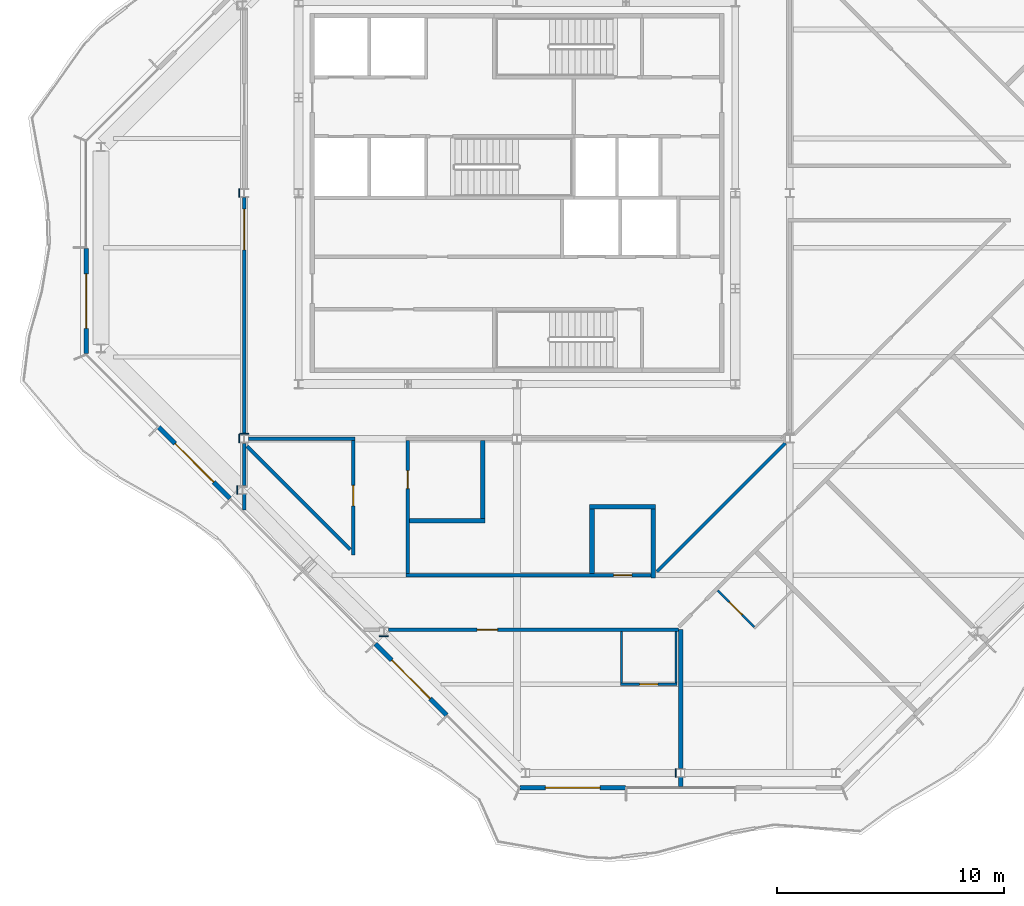
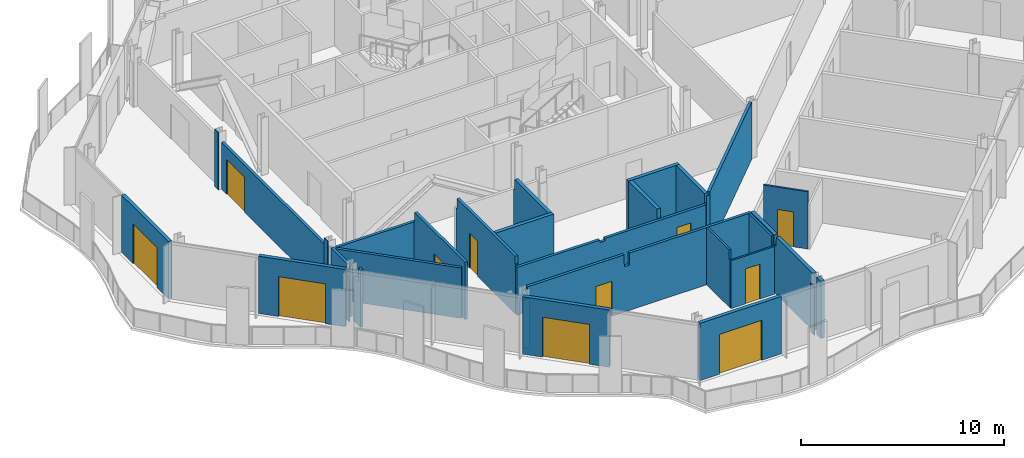
# One storey, part 7 of 17: 31 walls, 11 doors, 11 openings.
"""IFC4 building model written with IfcOpenShell, lengths in metres."""

from ifc_helpers import new_model, si_unit, direction, frame, frame_2d, origin, place, context, subcontext, project, spatial, polyline, rectangle, outline, extrude, material, layer, layer_set, type_object, element, fill, save


model = new_model("IFC4")

# Units and contexts
model_context = context("Model", 3, precision=1e-05, world=origin(), true_north=direction((0.0, 1.0)))
body_context = subcontext(model_context, "Body", "Model", "MODEL_VIEW")
ifc_project = project(units=[si_unit("LENGTHUNIT", "METRE"), si_unit("AREAUNIT", "SQUARE_METRE"), si_unit("VOLUMEUNIT", "CUBIC_METRE"), si_unit("PLANEANGLEUNIT", "RADIAN"), si_unit("MASSUNIT", "GRAM", prefix="KILO")], contexts=[model_context])

# Site, building, storey
site_placement = place(None, origin())
site = spatial("IfcSite", under=ifc_project, at=site_placement, CompositionType="ELEMENT")
building_placement = place(site_placement, origin())
building = spatial("IfcBuilding", under=site, at=building_placement, Name="Cairn Pilgrim Tower", CompositionType="ELEMENT")
storey_placement = place(building_placement, frame((0.0, 0.0, 281.39990234375)))
storey = spatial("IfcBuildingStorey", under=building, at=storey_placement, Name="L72", CompositionType="ELEMENT", Elevation=281.39990234375)

# Wall, opening, door
ifc_material_1 = material(Name="Bronze anodised aluminium insulated sandwich panel with mineral wool fill", Category="aluminium")
ifc_layer_1 = layer(ifc_material_1, 0.199951171875)
ifc_layer_set_1 = layer_set([ifc_layer_1], Name="BRONZE INFILL FRAME WALL 200")
wall_type_1 = type_object("IfcWallType", Name="BRONZE INFILL FRAME WALL 200", PredefinedType="NOTDEFINED", material=ifc_layer_set_1)
wall_1_placement = place(storey_placement, frame((7.343505859375, -23.75, 0.0), z_axis=(0.0, 0.0, 1.0), x_axis=(1.0, 0.0, 0.0)))
wall_1 = element("IfcWall", 1, at=wall_1_placement, inside=storey, type_object=wall_type_1, Name="Bronze infill frame wall IW-S1", PredefinedType="NOTDEFINED", context=body_context, shape_type="SweptSolid", body=[
    extrude(rectangle(XDim=4.62646484375, YDim=0.199951171875, at=frame_2d((2.313232421875, 0.0))), origin(), (0.0, 0.0, 1.0), 3.4501953125),
])
opening_1_placement = place(wall_1_placement, frame((1.1083984375, 0.0, 0.0)))
opening_1 = element("IfcOpeningElement", 2, at=opening_1_placement, cuts=wall_1, Name="Opening 7211B2", PredefinedType="OPENING", context=body_context, shape_type="SweptSolid", body=[
    extrude(rectangle(XDim=2.39990234375, YDim=2.39990234375, at=frame_2d((1.199951171875, 1.199951171875))), frame((0.0, 0.10986328125, 0.0), z_axis=(0.0, -1.0, 0.0), x_axis=(1.0, 0.0, 0.0)), (0.0, 0.0, 1.0), 0.219970703125),
])
ifc_material_2 = material(Name="Bronze anodised aluminium frame with tinted low-E glass", Category="aluminium")
door_type_1 = type_object("IfcDoorType", Name="BALCONY SLIDING DOOR 2400x2400", OperationType="DOUBLE_DOOR_SLIDING", PredefinedType="DOOR", material=ifc_material_2)
door_1_placement = place(opening_1_placement, origin())
door_1 = element("IfcDoor", 3, at=door_1_placement, inside=storey, type_object=door_type_1, Name="Balcony sliding door 7211B2", OperationType="SINGLE_SWING_LEFT", OverallHeight=2.39990234375, OverallWidth=2.39990234375, PredefinedType="DOOR", context=body_context, shape_type="SweptSolid", body=[
    extrude(rectangle(XDim=2.39990234375, YDim=2.39990234375, at=frame_2d((1.199951171875, 1.199951171875))), frame((0.0, 0.02490234375, 0.0), z_axis=(0.0, -1.0, 0.0), x_axis=(1.0, 0.0, 0.0)), (0.0, 0.0, 1.0), 0.050048828125),
])
fill(opening_1, door_1)

wall_2_placement = place(storey_placement, frame((-11.75, -0.030029296875, 0.0), z_axis=(0.0, 0.0, 1.0), x_axis=(0.0, -1.0, 0.0)))
wall_2 = element("IfcWall", 4, at=wall_2_placement, inside=storey, type_object=wall_type_1, Name="Bronze infill frame wall IW-W2", PredefinedType="NOTDEFINED", context=body_context, shape_type="SweptSolid", body=[
    extrude(rectangle(XDim=4.62646484375, YDim=0.199951171875, at=frame_2d((2.313232421875, 0.0))), origin(), (0.0, 0.0, 1.0), 3.4501953125),
])
opening_2_placement = place(wall_2_placement, frame((1.117919921875, 0.0, 0.0)))
opening_2 = element("IfcOpeningElement", 5, at=opening_2_placement, cuts=wall_2, Name="Opening 7201B3", PredefinedType="OPENING", context=body_context, shape_type="SweptSolid", body=[
    extrude(rectangle(XDim=2.39990234375, YDim=2.39990234375, at=frame_2d((1.199951171875, 1.199951171875))), frame((0.0, 0.10986328125, 0.0), z_axis=(0.0, -1.0, 0.0), x_axis=(1.0, 0.0, 0.0)), (0.0, 0.0, 1.0), 0.219970703125),
])
door_2_placement = place(opening_2_placement, origin())
door_2 = element("IfcDoor", 6, at=door_2_placement, inside=storey, type_object=door_type_1, Name="Balcony sliding door 7201B3", OperationType="SINGLE_SWING_LEFT", OverallHeight=2.39990234375, OverallWidth=2.39990234375, PredefinedType="DOOR", context=body_context, shape_type="SweptSolid", body=[
    extrude(rectangle(XDim=2.39990234375, YDim=2.39990234375, at=frame_2d((1.199951171875, 1.199951171875))), frame((0.0, 0.02490234375, 0.0), z_axis=(0.0, -1.0, 0.0), x_axis=(1.0, 0.0, 0.0)), (0.0, 0.0, 1.0), 0.050048828125),
])
fill(opening_2, door_2)

wall_3_placement = place(storey_placement, frame((-8.55322265625, -7.893310546875, 0.0), z_axis=(0.0, 0.0, 1.0), x_axis=(0.707134329907, -0.707079231393, 0.0)))
wall_3 = element("IfcWall", 7, at=wall_3_placement, inside=storey, type_object=wall_type_1, Name="Bronze infill frame wall IW-SW2", PredefinedType="NOTDEFINED", context=body_context, shape_type="SweptSolid", body=[
    extrude(rectangle(XDim=4.430908203125, YDim=0.199951171875, at=frame_2d((2.21533203125, 0.0))), origin(), (0.0, 0.0, 1.0), 3.4501953125),
])
opening_3_placement = place(wall_3_placement, frame((1.015380859375, 0.0, 0.0)))
opening_3 = element("IfcOpeningElement", 8, at=opening_3_placement, cuts=wall_3, Name="Opening 7201B2", PredefinedType="OPENING", context=body_context, shape_type="SweptSolid", body=[
    extrude(rectangle(XDim=2.39990234375, YDim=2.39990234375, at=frame_2d((1.199951171875, 1.199951171875))), frame((0.0, 0.10986328125, 0.0), z_axis=(0.0, -1.0, 0.0), x_axis=(1.0, 0.0, 0.0)), (0.0, 0.0, 1.0), 0.219970703125),
])
door_3_placement = place(opening_3_placement, origin())
door_3 = element("IfcDoor", 9, at=door_3_placement, inside=storey, type_object=door_type_1, Name="Balcony sliding door 7201B2", OperationType="SINGLE_SWING_LEFT", OverallHeight=2.39990234375, OverallWidth=2.39990234375, PredefinedType="DOOR", context=body_context, shape_type="SweptSolid", body=[
    extrude(rectangle(XDim=2.39990234375, YDim=2.39990234375, at=frame_2d((1.199951171875, 1.199951171875))), frame((0.0, 0.02490234375, 0.0), z_axis=(0.0, -1.0, 0.0), x_axis=(1.0, 0.0, 0.0)), (0.0, 0.0, 1.0), 0.050048828125),
])
fill(opening_3, door_3)

wall_4_placement = place(storey_placement, frame((0.9736328125, -17.419921875, 0.0), z_axis=(0.0, 0.0, 1.0), x_axis=(0.707079231393, -0.707134329907, 0.0)))
wall_4 = element("IfcWall", 10, at=wall_4_placement, inside=storey, type_object=wall_type_1, Name="Bronze infill frame wall IW-SW5", PredefinedType="NOTDEFINED", context=body_context, shape_type="SweptSolid", body=[
    extrude(rectangle(XDim=4.430908203125, YDim=0.199951171875, at=frame_2d((2.21533203125, 0.0))), origin(), (0.0, 0.0, 1.0), 3.4501953125),
])
opening_4_placement = place(wall_4_placement, frame((1.01513671875, 0.0, 0.0)))
opening_4 = element("IfcOpeningElement", 11, at=opening_4_placement, cuts=wall_4, Name="Opening 7211B", PredefinedType="OPENING", context=body_context, shape_type="SweptSolid", body=[
    extrude(rectangle(XDim=2.39990234375, YDim=2.39990234375, at=frame_2d((1.199951171875, 1.199951171875))), frame((0.0, 0.10986328125, 0.0), z_axis=(0.0, -1.0, 0.0), x_axis=(1.0, 0.0, 0.0)), (0.0, 0.0, 1.0), 0.219970703125),
])
door_4_placement = place(opening_4_placement, origin())
door_4 = element("IfcDoor", 12, at=door_4_placement, inside=storey, type_object=door_type_1, Name="Balcony sliding door 7211B", OperationType="SINGLE_SWING_LEFT", OverallHeight=2.39990234375, OverallWidth=2.39990234375, PredefinedType="DOOR", context=body_context, shape_type="SweptSolid", body=[
    extrude(rectangle(XDim=2.39990234375, YDim=2.39990234375, at=frame_2d((1.199951171875, 1.199951171875))), frame((0.0, 0.02490234375, 0.0), z_axis=(0.0, -1.0, 0.0), x_axis=(1.0, 0.0, 0.0)), (0.0, 0.0, 1.0), 0.050048828125),
])
fill(opening_4, door_4)

ifc_material_3 = material(Name="Gypsum partition")
ifc_layer_2 = layer(ifc_material_3, 0.10009765625)
ifc_layer_set_2 = layer_set([ifc_layer_2], Name="PARTITION 100 DRYWALL")
wall_type_2 = type_object("IfcWallType", Name="PARTITION 100 DRYWALL", PredefinedType="PARTITIONING", material=ifc_layer_set_2)
wall_5_placement = place(storey_placement, frame((11.743896484375, -19.199951171875, 0.0), z_axis=(0.0, 0.0, 1.0), x_axis=(1.0, 0.0, 0.0)))
wall_5 = element("IfcWall", 13, at=wall_5_placement, inside=storey, type_object=wall_type_2, Name="PARTITION W004", PredefinedType="PARTITIONING", context=body_context, shape_type="SweptSolid", body=[
    extrude(rectangle(XDim=2.5, YDim=0.10009765625, at=frame_2d((1.25, 0.0))), origin(), (0.0, 0.0, 1.0), 2.880126953125),
])
opening_5_placement = place(wall_5_placement, frame((0.85009765625, 0.0, 0.0)))
opening_5 = element("IfcOpeningElement", 14, at=opening_5_placement, cuts=wall_5, Name="Opening 7211A", PredefinedType="OPENING", context=body_context, shape_type="SweptSolid", body=[
    extrude(rectangle(XDim=0.800048828125, YDim=2.10009765625, at=frame_2d((0.39990234375, 1.050048828125))), frame((0.0, 0.06005859375, 0.0), z_axis=(0.0, -1.0, 0.0), x_axis=(1.0, 0.0, 0.0)), (0.0, 0.0, 1.0), 0.1201171875),
])
ifc_material_4 = material(Name="Timber door leaf", Category="wood")
door_type_2 = type_object("IfcDoorType", Name="WC DOOR 800x2100", OperationType="NOTDEFINED", PredefinedType="DOOR", material=ifc_material_4)
door_5_placement = place(opening_5_placement, frame((0.800048828125, 0.0, 0.0), z_axis=(0.0, 0.0, 1.0), x_axis=(-1.0, 0.0, 0.0)))
door_5 = element("IfcDoor", 15, at=door_5_placement, inside=storey, type_object=door_type_2, Name="DOOR 7211A", OperationType="SINGLE_SWING_RIGHT", OverallHeight=2.10009765625, OverallWidth=0.800048828125, PredefinedType="DOOR", context=body_context, shape_type="SweptSolid", body=[
    extrude(rectangle(XDim=0.800048828125, YDim=2.10009765625, at=frame_2d((0.39990234375, 1.050048828125))), frame((0.0, 0.02490234375, 0.0), z_axis=(0.0, -1.0, 0.0), x_axis=(1.0, 0.0, 0.0)), (0.0, 0.0, 1.0), 0.050048828125),
])
fill(opening_5, door_5)

# Walls
for number, where, z_axis, x_axis, name in (
    (16, (11.7939453125, -19.14990234375, 0.0), (0.0, 0.0, 1.0), (0.0, 1.0, 0.0), "PARTITION W005"),
    (17, (14.194091796875, -19.14990234375, 0.0), (0.0, 0.0, 1.0), (0.0, 1.0, 0.0), "PARTITION W006"),
):
    element("IfcWall", number, at=place(storey_placement, frame(where, z_axis=z_axis, x_axis=x_axis)), inside=storey, type_object=wall_type_2, Name=name, PredefinedType="PARTITIONING", context=body_context, shape_type="SweptSolid", body=[
        extrude(outline(polyline([(0.0, 0.0), (2.27490234375, 0.0), (2.27490234375, 3.4501953125), (0.054931640625, 3.4501953125), (0.052978515625, 2.880126953125), (0.0, 2.880126953125), (0.0, 0.0)])), frame((0.0, 0.050048828125, 0.0), z_axis=(0.0, -1.0, 0.0), x_axis=(1.0, 0.0, 0.0)), (0.0, 0.0, 1.0), 0.10009765625),
    ])

# Wall, opening, door
wall_6_placement = place(storey_placement, frame((17.6376953125, -16.6796875, 0.0), z_axis=(0.0, 0.0, 1.0), x_axis=(-0.707106781187, 0.707106781187, 0.0)))
wall_6 = element("IfcWall", 18, at=wall_6_placement, inside=storey, type_object=wall_type_2, Name="PARTITION W012", PredefinedType="PARTITIONING", context=body_context, shape_type="SweptSolid", body=[
    extrude(rectangle(XDim=2.27490234375, YDim=0.10009765625, at=frame_2d((1.137451171875, 0.0))), origin(), (0.0, 0.0, 1.0), 3.4501953125),
])
opening_6_placement = place(wall_6_placement, frame((0.75, 0.0, 0.0)))
opening_6 = element("IfcOpeningElement", 19, at=opening_6_placement, cuts=wall_6, Name="Opening 7202A", PredefinedType="OPENING", context=body_context, shape_type="SweptSolid", body=[
    extrude(rectangle(XDim=0.800048828125, YDim=2.10009765625, at=frame_2d((0.39990234375, 1.050048828125))), frame((0.0, 0.06005859375, 0.0), z_axis=(0.0, -1.0, 0.0), x_axis=(1.0, 0.0, 0.0)), (0.0, 0.0, 1.0), 0.1201171875),
])
door_6_placement = place(opening_6_placement, origin())
door_6 = element("IfcDoor", 20, at=door_6_placement, inside=storey, type_object=door_type_2, Name="DOOR 7202A", OperationType="SINGLE_SWING_LEFT", OverallHeight=2.10009765625, OverallWidth=0.800048828125, PredefinedType="DOOR", context=body_context, shape_type="SweptSolid", body=[
    extrude(rectangle(XDim=0.800048828125, YDim=2.10009765625, at=frame_2d((0.39990234375, 1.050048828125))), frame((0.0, 0.02490234375, 0.0), z_axis=(0.0, -1.0, 0.0), x_axis=(1.0, 0.0, 0.0)), (0.0, 0.0, 1.0), 0.050048828125),
])
fill(opening_6, door_6)

ifc_layer_3 = layer(ifc_material_3, 0.14990234375)
ifc_layer_set_3 = layer_set([ifc_layer_3], Name="PARTITION 150 DRYWALL EI 60")
wall_type_3 = type_object("IfcWallType", Name="PARTITION 150 DRYWALL EI 60", PredefinedType="PARTITIONING", material=ifc_layer_set_3)
wall_7_placement = place(storey_placement, frame((1.5439453125, -16.800048828125, 0.0), z_axis=(0.0, 0.0, 1.0), x_axis=(1.0, 0.0, 0.0)))
wall_7 = element("IfcWall", 21, at=wall_7_placement, inside=storey, type_object=wall_type_3, Name="PARTITION W009", PredefinedType="PARTITIONING", context=body_context, shape_type="SweptSolid", body=[
    extrude(outline(polyline([(0.0, 0.0), (12.756103515625, 0.0), (12.756103515625, 3.4501953125), (5.805908203125, 3.4501953125), (5.803955078125, 2.72998046875), (5.506103515625, 2.72998046875), (5.50390625, 3.4501953125), (0.0, 3.4501953125), (0.0, 0.0)])), frame((0.0, 0.074951171875, 0.0), z_axis=(0.0, -1.0, 0.0), x_axis=(1.0, 0.0, 0.0)), (0.0, 0.0, 1.0), 0.14990234375),
])
opening_7_placement = place(wall_7_placement, frame((3.903076171875, 0.0, 0.0)))
opening_7 = element("IfcOpeningElement", 22, at=opening_7_placement, cuts=wall_7, Name="Opening 7211", PredefinedType="OPENING", context=body_context, shape_type="SweptSolid", body=[
    extrude(rectangle(XDim=0.89990234375, YDim=2.10009765625, at=frame_2d((0.449951171875, 1.050048828125))), frame((0.0, 0.0849609375, 0.0), z_axis=(0.0, -1.0, 0.0), x_axis=(1.0, 0.0, 0.0)), (0.0, 0.0, 1.0), 0.169921875),
])
door_type_3 = type_object("IfcDoorType", Name="ROOM DOOR 900x2100 FD30S", OperationType="NOTDEFINED", PredefinedType="DOOR", material=ifc_material_4)
door_7_placement = place(opening_7_placement, frame((0.89990234375, 0.0, 0.0), z_axis=(0.0, 0.0, 1.0), x_axis=(-1.0, 0.0, 0.0)))
door_7 = element("IfcDoor", 23, at=door_7_placement, inside=storey, type_object=door_type_3, Name="DOOR 7211", OperationType="SINGLE_SWING_RIGHT", OverallHeight=2.10009765625, OverallWidth=0.89990234375, PredefinedType="DOOR", context=body_context, shape_type="SweptSolid", body=[
    extrude(rectangle(XDim=0.89990234375, YDim=2.10009765625, at=frame_2d((0.449951171875, 1.050048828125))), frame((0.0, 0.02490234375, 0.0), z_axis=(0.0, -1.0, 0.0), x_axis=(1.0, 0.0, 0.0)), (0.0, 0.0, 1.0), 0.050048828125),
])
fill(opening_7, door_7)

wall_8_placement = place(storey_placement, frame((2.324951171875, -14.39990234375, 0.0), z_axis=(0.0, 0.0, 1.0), x_axis=(1.0, 0.0, 0.0)))
wall_8 = element("IfcWall", 24, at=wall_8_placement, inside=storey, type_object=wall_type_3, Name="PARTITION W015", PredefinedType="PARTITIONING", context=body_context, shape_type="SweptSolid", body=[
    extrude(outline(polyline([(0.0, 0.0), (10.775146484375, 0.0), (10.77490234375, 2.880126953125), (5.02490234375, 2.880126953125), (5.02294921875, 2.72998046875), (4.72509765625, 2.72998046875), (4.722900390625, 2.880126953125), (0.0, 2.880126953125), (0.0, 0.0)])), frame((0.0, 0.074951171875, 0.0), z_axis=(0.0, -1.0, 0.0), x_axis=(1.0, 0.0, 0.0)), (0.0, 0.0, 1.0), 0.14990234375),
])
opening_8_placement = place(wall_8_placement, frame((9.125, 0.0, 0.0)))
opening_8 = element("IfcOpeningElement", 25, at=opening_8_placement, cuts=wall_8, Name="Opening 7214", PredefinedType="OPENING", context=body_context, shape_type="SweptSolid", body=[
    extrude(rectangle(XDim=0.800048828125, YDim=2.10009765625, at=frame_2d((0.39990234375, 1.050048828125))), frame((0.0, 0.0849609375, 0.0), z_axis=(0.0, -1.0, 0.0), x_axis=(1.0, 0.0, 0.0)), (0.0, 0.0, 1.0), 0.169921875),
])
door_type_4 = type_object("IfcDoorType", Name="WC DOOR 800x2100 FD30S", OperationType="NOTDEFINED", PredefinedType="DOOR", material=ifc_material_4)
door_8_placement = place(opening_8_placement, origin())
door_8 = element("IfcDoor", 26, at=door_8_placement, inside=storey, type_object=door_type_4, Name="DOOR 7214", OperationType="SINGLE_SWING_RIGHT", OverallHeight=2.10009765625, OverallWidth=0.800048828125, PredefinedType="DOOR", context=body_context, shape_type="SweptSolid", body=[
    extrude(rectangle(XDim=0.800048828125, YDim=2.10009765625, at=frame_2d((0.39990234375, 1.050048828125))), frame((0.0, 0.02490234375, 0.0), z_axis=(0.0, -1.0, 0.0), x_axis=(1.0, 0.0, 0.0)), (0.0, 0.0, 1.0), 0.050048828125),
])
fill(opening_8, door_8)

wall_9_placement = place(storey_placement, frame((2.39990234375, -14.324951171875, 0.0), z_axis=(0.0, 0.0, 1.0), x_axis=(0.0, 1.0, 0.0)))
wall_9 = element("IfcWall", 27, at=wall_9_placement, inside=storey, type_object=wall_type_3, Name="PARTITION W016", PredefinedType="PARTITIONING", context=body_context, shape_type="SweptSolid", body=[
    extrude(outline(polyline([(0.0, 0.0), (5.849853515625, 0.0), (5.85009765625, 2.830078125), (5.77490234375, 2.830078125), (5.77294921875, 3.4501953125), (0.02001953125, 3.4501953125), (0.01806640625, 2.97998046875), (0.0, 2.97998046875), (0.0, 0.0)])), frame((0.0, 0.074951171875, 0.0), z_axis=(0.0, -1.0, 0.0), x_axis=(1.0, 0.0, 0.0)), (0.0, 0.0, 1.0), 0.14990234375),
])
opening_9_placement = place(wall_9_placement, frame((3.72509765625, 0.0, 0.0)))
opening_9 = element("IfcOpeningElement", 28, at=opening_9_placement, cuts=wall_9, Name="Opening 7213", PredefinedType="OPENING", context=body_context, shape_type="SweptSolid", body=[
    extrude(rectangle(XDim=0.800048828125, YDim=2.10009765625, at=frame_2d((0.39990234375, 1.050048828125))), frame((0.0, 0.0849609375, 0.0), z_axis=(0.0, -1.0, 0.0), x_axis=(1.0, 0.0, 0.0)), (0.0, 0.0, 1.0), 0.169921875),
])
door_9_placement = place(opening_9_placement, frame((0.800048828125, 0.0, 0.0), z_axis=(0.0, 0.0, 1.0), x_axis=(-1.0, 0.0, 0.0)))
door_9 = element("IfcDoor", 29, at=door_9_placement, inside=storey, type_object=door_type_4, Name="DOOR 7213", OperationType="SINGLE_SWING_RIGHT", OverallHeight=2.10009765625, OverallWidth=0.800048828125, PredefinedType="DOOR", context=body_context, shape_type="SweptSolid", body=[
    extrude(rectangle(XDim=0.800048828125, YDim=2.10009765625, at=frame_2d((0.39990234375, 1.050048828125))), frame((0.0, 0.02490234375, 0.0), z_axis=(0.0, -1.0, 0.0), x_axis=(1.0, 0.0, 0.0)), (0.0, 0.0, 1.0), 0.050048828125),
])
fill(opening_9, door_9)

# Wall
wall_10_placement = place(storey_placement, frame((13.35302734375, -14.2470703125, 0.0), z_axis=(0.0, 0.0, 1.0), x_axis=(0.707106781187, 0.707106781187, 0.0)))
element("IfcWall", 30, at=wall_10_placement, inside=storey, type_object=wall_type_3, Name="PARTITION W018", PredefinedType="PARTITIONING", context=body_context, shape_type="SweptSolid", body=[
    extrude(rectangle(XDim=7.9970703125, YDim=0.14990234375, at=frame_2d((3.99853515625, 0.0))), origin(), (0.0, 0.0, 1.0), 3.4501953125),
])

# Wall, opening, door
wall_11_placement = place(storey_placement, frame((0.0, -13.51220703125, 0.0), z_axis=(0.0, 0.0, 1.0), x_axis=(0.0, 1.0, 0.0)))
wall_11 = element("IfcWall", 31, at=wall_11_placement, inside=storey, type_object=wall_type_3, Name="PARTITION W020", PredefinedType="PARTITIONING", context=body_context, shape_type="SweptSolid", body=[
    extrude(outline(polyline([(0.0, 0.0), (5.037109375, 0.0), (5.037109375, 2.830078125), (4.962158203125, 2.830078125), (4.960205078125, 3.4501953125), (0.0, 3.4501953125), (0.0, 0.0)])), frame((0.0, 0.074951171875, 0.0), z_axis=(0.0, -1.0, 0.0), x_axis=(1.0, 0.0, 0.0)), (0.0, 0.0, 1.0), 0.14990234375),
])
opening_10_placement = place(wall_11_placement, frame((2.1591796875, 0.0, 0.0)))
opening_10 = element("IfcOpeningElement", 32, at=opening_10_placement, cuts=wall_11, Name="Opening 7217", PredefinedType="OPENING", context=body_context, shape_type="SweptSolid", body=[
    extrude(rectangle(XDim=0.89990234375, YDim=2.10009765625, at=frame_2d((0.449951171875, 1.050048828125))), frame((0.0, 0.0849609375, 0.0), z_axis=(0.0, -1.0, 0.0), x_axis=(1.0, 0.0, 0.0)), (0.0, 0.0, 1.0), 0.169921875),
])
door_type_5 = type_object("IfcDoorType", Name="SERVICE DOOR 900x2100 FD30S", OperationType="NOTDEFINED", PredefinedType="DOOR", material=ifc_material_4)
door_10_placement = place(opening_10_placement, origin())
door_10 = element("IfcDoor", 33, at=door_10_placement, inside=storey, type_object=door_type_5, Name="DOOR 7217", OperationType="SINGLE_SWING_RIGHT", OverallHeight=2.10009765625, OverallWidth=0.89990234375, PredefinedType="DOOR", context=body_context, shape_type="SweptSolid", body=[
    extrude(rectangle(XDim=0.89990234375, YDim=2.10009765625, at=frame_2d((0.449951171875, 1.050048828125))), frame((0.0, 0.02490234375, 0.0), z_axis=(0.0, -1.0, 0.0), x_axis=(1.0, 0.0, 0.0)), (0.0, 0.0, 1.0), 0.050048828125),
])
fill(opening_10, door_10)

# Walls
wall_12_placement = place(storey_placement, frame((-0.1279296875, -13.278076171875, 0.0), z_axis=(0.0, 0.0, 1.0), x_axis=(-0.707106781187, 0.707106781187, 0.0)))
element("IfcWall", 34, at=wall_12_placement, inside=storey, type_object=wall_type_3, Name="PARTITION W021", PredefinedType="PARTITIONING", context=body_context, shape_type="SweptSolid", body=[
    extrude(rectangle(XDim=6.426513671875, YDim=0.14990234375, at=frame_2d((3.21337890625, 0.0))), origin(), (0.0, 0.0, 1.0), 3.030029296875),
])
wall_13_placement = place(storey_placement, frame((-4.800048828125, -11.526123046875, 0.0), z_axis=(0.0, 0.0, 1.0), x_axis=(0.0, 1.0, 0.0)))
element("IfcWall", 35, at=wall_13_placement, inside=storey, type_object=wall_type_3, Name="PARTITION W025", PredefinedType="PARTITIONING", context=body_context, shape_type="SweptSolid", body=[
    extrude(outline(polyline([(0.0, 0.0), (0.690673828125, 0.0), (0.690673828125, 2.630126953125), (0.22900390625, 2.630126953125), (0.226806640625, 3.4501953125), (0.0, 3.4501953125), (0.0, 0.0)])), frame((0.0, 0.074951171875, 0.0), z_axis=(0.0, -1.0, 0.0), x_axis=(1.0, 0.0, 0.0)), (0.0, 0.0, 1.0), 0.14990234375),
])
wall_14_placement = place(storey_placement, frame((-4.800048828125, -10.467529296875, 0.0), z_axis=(0.0, 0.0, 1.0), x_axis=(0.0, 1.0, 0.0)))
element("IfcWall", 36, at=wall_14_placement, inside=storey, type_object=wall_type_3, Name="PARTITION W027", PredefinedType="PARTITIONING", context=body_context, shape_type="SweptSolid", body=[
    extrude(outline(polyline([(0.0, 0.0), (1.861572265625, 0.0), (1.861572265625, 3.030029296875), (0.310302734375, 3.030029296875), (0.30810546875, 2.630126953125), (0.065673828125, 2.630126953125), (0.063720703125, 3.030029296875), (0.0, 3.030029296875), (0.0, 0.0)])), frame((0.0, 0.074951171875, 0.0), z_axis=(0.0, -1.0, 0.0), x_axis=(1.0, 0.0, 0.0)), (0.0, 0.0, 1.0), 0.14990234375),
])
wall_15_placement = place(storey_placement, frame((-4.60302734375, -8.39990234375, 0.0), z_axis=(0.0, 0.0, 1.0), x_axis=(1.0, 0.0, 0.0)))
element("IfcWall", 37, at=wall_15_placement, inside=storey, type_object=wall_type_3, Name="PARTITION W029", PredefinedType="PARTITIONING", context=body_context, shape_type="SweptSolid", body=[
    extrude(rectangle(XDim=4.677978515625, YDim=0.14990234375, at=frame_2d((2.3388671875, 0.0))), origin(), (0.0, 0.0, 1.0), 2.830078125),
])

# Wall, opening, door
wall_16_placement = place(storey_placement, frame((-4.800048828125, -8.21240234375, 0.0), z_axis=(0.0, 0.0, 1.0), x_axis=(0.0, 1.0, 0.0)))
wall_16 = element("IfcWall", 38, at=wall_16_placement, inside=storey, type_object=wall_type_3, Name="PARTITION W032", PredefinedType="PARTITIONING", context=body_context, shape_type="SweptSolid", body=[
    extrude(rectangle(XDim=10.4248046875, YDim=0.14990234375, at=frame_2d((5.21240234375, 0.0))), origin(), (0.0, 0.0, 1.0), 2.830078125),
])
opening_11_placement = place(wall_16_placement, frame((8.112548828125, 0.0, 0.0)))
opening_11 = element("IfcOpeningElement", 39, at=opening_11_placement, cuts=wall_16, Name="Opening 7201", PredefinedType="OPENING", context=body_context, shape_type="SweptSolid", body=[
    extrude(rectangle(XDim=1.800048828125, YDim=2.10009765625, at=frame_2d((0.89990234375, 1.050048828125))), frame((0.0, 0.0849609375, 0.0), z_axis=(0.0, -1.0, 0.0), x_axis=(1.0, 0.0, 0.0)), (0.0, 0.0, 1.0), 0.169921875),
])
door_type_6 = type_object("IfcDoorType", Name="DOOR PAIR 1800x2100 FD60S", OperationType="NOTDEFINED", PredefinedType="DOOR", material=ifc_material_4)
door_11_placement = place(opening_11_placement, origin())
door_11 = element("IfcDoor", 40, at=door_11_placement, inside=storey, type_object=door_type_6, Name="DOOR 7201", OperationType="DOUBLE_DOOR_SINGLE_SWING", OverallHeight=2.10009765625, OverallWidth=1.800048828125, PredefinedType="DOOR", context=body_context, shape_type="SweptSolid", body=[
    extrude(rectangle(XDim=1.800048828125, YDim=2.10009765625, at=frame_2d((0.89990234375, 1.050048828125))), frame((0.0, 0.02490234375, 0.0), z_axis=(0.0, -1.0, 0.0), x_axis=(1.0, 0.0, 0.0)), (0.0, 0.0, 1.0), 0.050048828125),
])
fill(opening_11, door_11)

# Walls
ifc_layer_4 = layer(ifc_material_3, 0.050048828125)
ifc_layer_set_4 = layer_set([ifc_layer_4], Name="PARTITION 50 DRYWALL EI 60")
wall_type_4 = type_object("IfcWallType", Name="PARTITION 50 DRYWALL EI 60", PredefinedType="PARTITIONING", material=ifc_layer_set_4)
wall_17_placement = place(storey_placement, frame((14.179443359375, -23.283935546875, 0.0), z_axis=(0.0, 0.0, 1.0), x_axis=(0.0, 1.0, 0.0)))
element("IfcWall", 41, at=wall_17_placement, inside=storey, type_object=wall_type_4, Name="COLUMN CASING WC01", PredefinedType="PARTITIONING", context=body_context, shape_type="SweptSolid", body=[
    extrude(rectangle(XDim=0.367919921875, YDim=0.050048828125, at=frame_2d((0.18408203125, 0.0))), origin(), (0.0, 0.0, 1.0), 2.93017578125),
])
wall_18_placement = place(storey_placement, frame((1.153076171875, -17.084716796875, 0.0), z_axis=(0.0, 0.0, 1.0), x_axis=(1.0, 0.0, 0.0)))
element("IfcWall", 42, at=wall_18_placement, inside=storey, type_object=wall_type_4, Name="COLUMN CASING WC03", PredefinedType="PARTITIONING", context=body_context, shape_type="SweptSolid", body=[
    extrude(rectangle(XDim=0.390869140625, YDim=0.050048828125, at=frame_2d((0.1953125, 0.0))), origin(), (0.0, 0.0, 1.0), 2.93017578125),
])
wall_19_placement = place(storey_placement, frame((-5.09619140625, -10.83544921875, 0.0), z_axis=(0.0, 0.0, 1.0), x_axis=(0.0, 1.0, 0.0)))
element("IfcWall", 43, at=wall_19_placement, inside=storey, type_object=wall_type_4, Name="COLUMN CASING WC07", PredefinedType="PARTITIONING", context=body_context, shape_type="SweptSolid", body=[
    extrude(rectangle(XDim=0.367919921875, YDim=0.050048828125, at=frame_2d((0.18408203125, 0.0))), origin(), (0.0, 0.0, 1.0), 2.630126953125),
])
for number, where, z_axis, x_axis, name in (
    (44, (-5.02197265625, -8.58740234375, 0.0), (0.0, 0.0, 1.0), (0.0, 1.0, 0.0), "COLUMN CASING WC08"),
    (45, (-5.02197265625, 2.21240234375, 0.0), (0.0, 0.0, 1.0), (0.0, 1.0, 0.0), "COLUMN CASING WC09"),
):
    element("IfcWall", number, at=place(storey_placement, frame(where, z_axis=z_axis, x_axis=x_axis)), inside=storey, type_object=wall_type_4, Name=name, PredefinedType="PARTITIONING", context=body_context, shape_type="SweptSolid", body=[
        extrude(rectangle(XDim=0.375, YDim=0.050048828125, at=frame_2d((0.1875, 0.0))), origin(), (0.0, 0.0, 1.0), 3.4501953125),
    ])
wall_20_placement = place(storey_placement, frame((-4.9970703125, -8.1875, 0.0), z_axis=(0.0, 0.0, 1.0), x_axis=(1.0, 0.0, 0.0)))
element("IfcWall", 46, at=wall_20_placement, inside=storey, type_object=wall_type_4, Name="COLUMN CASING WC11", PredefinedType="PARTITIONING", context=body_context, shape_type="SweptSolid", body=[
    extrude(rectangle(XDim=0.39404296875, YDim=0.050048828125, at=frame_2d((0.197021484375, 0.0))), origin(), (0.0, 0.0, 1.0), 2.830078125),
])
ifc_layer_5 = layer(ifc_material_3, 0.199951171875)
ifc_layer_set_5 = layer_set([ifc_layer_5], Name="SHAFT WALL 200 GYPSUM EI 60")
wall_type_5 = type_object("IfcWallType", Name="SHAFT WALL 200 GYPSUM EI 60", PredefinedType="PARTITIONING", material=ifc_layer_set_5)
wall_21_placement = place(storey_placement, frame((14.39990234375, -23.702880859375, 0.0), z_axis=(0.0, 0.0, 1.0), x_axis=(0.0, 1.0, 0.0)))
element("IfcWall", 47, at=wall_21_placement, inside=storey, type_object=wall_type_5, Name="PARTITION W001", PredefinedType="PARTITIONING", context=body_context, shape_type="SweptSolid", body=[
    extrude(rectangle(XDim=0.4189453125, YDim=0.199951171875, at=frame_2d((0.20947265625, 0.0))), origin(), (0.0, 0.0, 1.0), 3.4501953125),
])
wall_22_placement = place(storey_placement, frame((14.39990234375, -22.916015625, 0.0), z_axis=(0.0, 0.0, 1.0), x_axis=(0.0, 1.0, 0.0)))
element("IfcWall", 48, at=wall_22_placement, inside=storey, type_object=wall_type_5, Name="PARTITION W002", PredefinedType="PARTITIONING", context=body_context, shape_type="SweptSolid", body=[
    extrude(outline(polyline([(0.0, 0.0), (6.115966796875, 0.0), (6.115966796875, 3.4501953125), (3.821044921875, 3.4501953125), (3.819091796875, 2.880126953125), (3.611083984375, 2.880126953125), (3.60888671875, 3.4501953125), (0.0, 3.4501953125), (0.0, 0.0)])), frame((0.0, 0.10009765625, 0.0), z_axis=(0.0, -1.0, 0.0), x_axis=(1.0, 0.0, 0.0)), (0.0, 0.0, 1.0), 0.199951171875),
])
wall_23_placement = place(storey_placement, frame((13.199951171875, -14.516357421875, 0.0), z_axis=(0.0, 0.0, 1.0), x_axis=(0.0, 1.0, 0.0)))
element("IfcWall", 49, at=wall_23_placement, inside=storey, type_object=wall_type_5, Name="PARTITION W014", PredefinedType="PARTITIONING", context=body_context, shape_type="SweptSolid", body=[
    extrude(outline(polyline([(0.0, 0.0), (3.016357421875, 0.0), (3.016357421875, 3.4501953125), (0.221435546875, 3.4501953125), (0.219482421875, 2.880126953125), (0.011474609375, 2.880126953125), (0.009521484375, 3.4501953125), (0.0, 3.4501953125), (0.0, 0.0)])), frame((0.0, 0.10009765625, 0.0), z_axis=(0.0, -1.0, 0.0), x_axis=(1.0, 0.0, 0.0)), (0.0, 0.0, 1.0), 0.199951171875),
])
wall_24_placement = place(storey_placement, frame((10.5, -14.324951171875, 0.0), z_axis=(0.0, 0.0, 1.0), x_axis=(0.0, 1.0, 0.0)))
element("IfcWall", 50, at=wall_24_placement, inside=storey, type_object=wall_type_5, Name="PARTITION W017", PredefinedType="PARTITIONING", context=body_context, shape_type="SweptSolid", body=[
    extrude(outline(polyline([(0.0, 0.0), (2.824951171875, 0.0), (2.824951171875, 3.4501953125), (0.030029296875, 3.4501953125), (0.028076171875, 2.880126953125), (0.0, 2.880126953125), (0.0, 0.0)])), frame((0.0, 0.10009765625, 0.0), z_axis=(0.0, -1.0, 0.0), x_axis=(1.0, 0.0, 0.0)), (0.0, 0.0, 1.0), 0.199951171875),
])
wall_25_placement = place(storey_placement, frame((2.47509765625, -12.0, 0.0), z_axis=(0.0, 0.0, 1.0), x_axis=(1.0, 0.0, 0.0)))
element("IfcWall", 51, at=wall_25_placement, inside=storey, type_object=wall_type_5, Name="PARTITION W022", PredefinedType="PARTITIONING", context=body_context, shape_type="SweptSolid", body=[
    extrude(rectangle(XDim=3.324951171875, YDim=0.199951171875, at=frame_2d((1.66259765625, 0.0))), origin(), (0.0, 0.0, 1.0), 3.4501953125),
])
wall_26_placement = place(storey_placement, frame((5.699951171875, -11.89990234375, 0.0), z_axis=(0.0, 0.0, 1.0), x_axis=(0.0, 1.0, 0.0)))
element("IfcWall", 52, at=wall_26_placement, inside=storey, type_object=wall_type_5, Name="PARTITION W023", PredefinedType="PARTITIONING", context=body_context, shape_type="SweptSolid", body=[
    extrude(outline(polyline([(0.0, 0.0), (3.4248046875, 0.0), (3.425048828125, 2.830078125), (3.35009765625, 2.830078125), (3.347900390625, 3.4501953125), (0.0, 3.4501953125), (0.0, 0.0)])), frame((0.0, 0.10009765625, 0.0), z_axis=(0.0, -1.0, 0.0), x_axis=(1.0, 0.0, 0.0)), (0.0, 0.0, 1.0), 0.199951171875),
])
wall_27_placement = place(storey_placement, frame((10.39990234375, -11.39990234375, 0.0), z_axis=(0.0, 0.0, 1.0), x_axis=(1.0, 0.0, 0.0)))
element("IfcWall", 53, at=wall_27_placement, inside=storey, type_object=wall_type_5, Name="PARTITION W026", PredefinedType="PARTITIONING", context=body_context, shape_type="SweptSolid", body=[
    extrude(rectangle(XDim=2.900146484375, YDim=0.199951171875, at=frame_2d((1.4501953125, 0.0))), origin(), (0.0, 0.0, 1.0), 3.4501953125),
])

save(model, "model.ifc")
